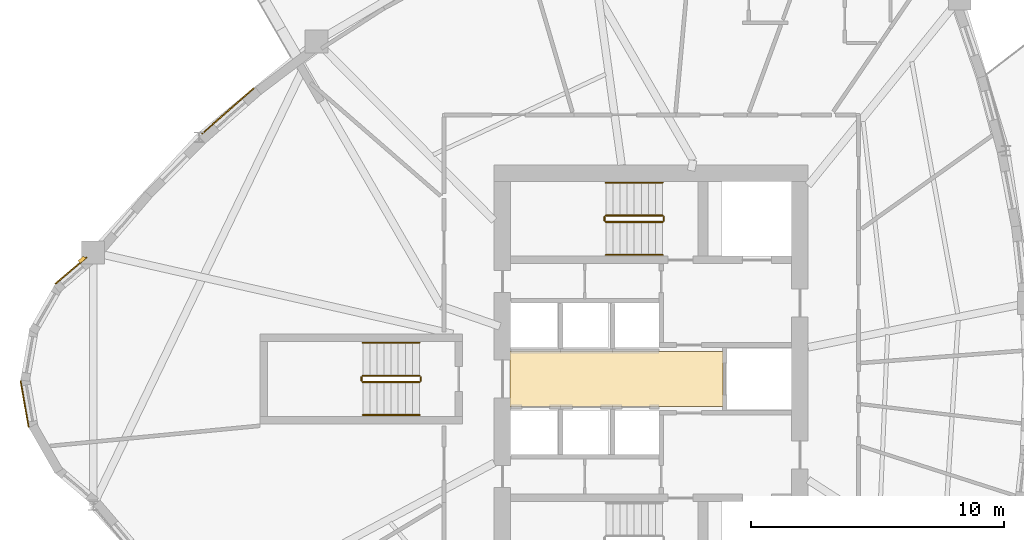
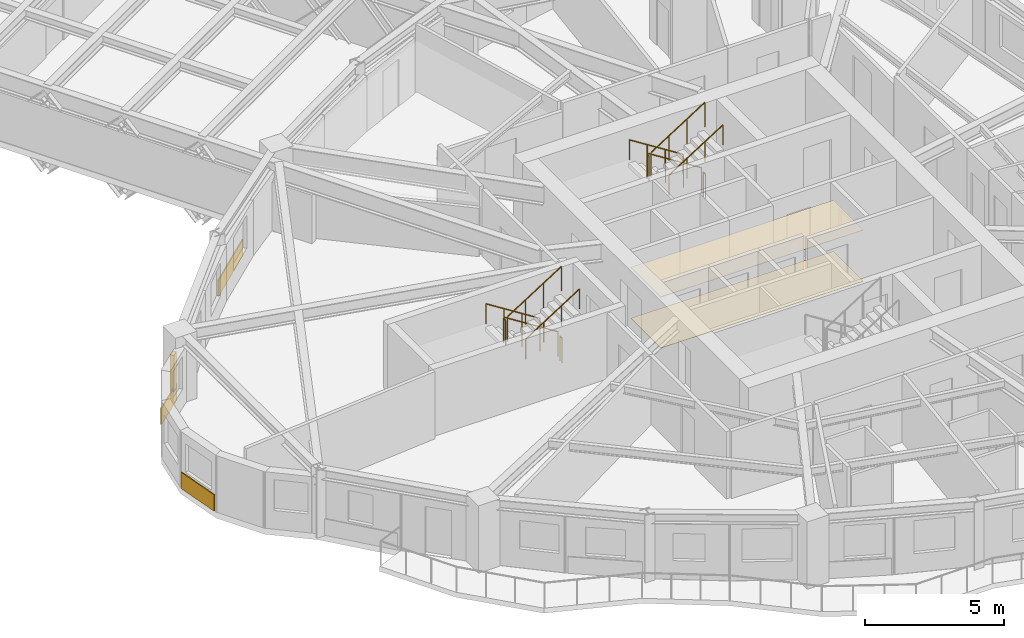
# One storey, part 12 of 14: 12 railings, 5 coverings, 1 shading device.
"""IFC4 building model written with IfcOpenShell, lengths in metres."""

from ifc_helpers import new_model, si_unit, direction, frame, origin, origin_2d, place, context, subcontext, project, spatial, polyline, rectangle, circle, outline, extrude, source, transform, mapped, material, layer, layer_set, type_object, element, save


model = new_model("IFC4")

# Units and contexts
model_context = context("Model", 3, precision=1e-05, world=origin(), true_north=direction((0.0, 1.0)))
body_context = subcontext(model_context, "Body", "Model", "MODEL_VIEW")
ifc_project = project(units=[si_unit("LENGTHUNIT", "METRE"), si_unit("AREAUNIT", "SQUARE_METRE"), si_unit("VOLUMEUNIT", "CUBIC_METRE"), si_unit("PLANEANGLEUNIT", "RADIAN"), si_unit("MASSUNIT", "GRAM", prefix="KILO")], contexts=[model_context])

# Site, building, storey
site_placement = place(None, origin())
site = spatial("IfcSite", under=ifc_project, at=site_placement, CompositionType="ELEMENT")
building_placement = place(site_placement, origin())
building = spatial("IfcBuilding", under=site, at=building_placement, Name="Qafzar Sky-Pleat Residences", CompositionType="ELEMENT")
storey_placement = place(building_placement, frame((0.0, 0.0, 86.39990234375)))
storey = spatial("IfcBuildingStorey", under=building, at=storey_placement, Name="L25", CompositionType="ELEMENT", Elevation=86.39990234375)

# Coverings
ifc_material_1 = material(Name="Perforated acoustic gypsum board ceiling")
ifc_layer_1 = layer(ifc_material_1, 0.02001953125)
ifc_layer_set_1 = layer_set([ifc_layer_1], Name="Perforated acoustic gypsum board ceiling")
covering_type_1 = type_object("IfcCoveringType", Name="COV-CEIL-ACOUSTIC", PredefinedType="CEILING", material=ifc_layer_set_1)
covering_1_placement = place(storey_placement, frame((0.0, 0.0, 2.239990234375)))
element("IfcCovering", 1, at=covering_1_placement, inside=storey, type_object=covering_type_1, Name="L25 Passenger Lift Lobby Acoustic Ceiling", PredefinedType="CEILING", context=body_context, shape_type="SweptSolid", body=[
    extrude(outline(polyline([(33.179931640625, 24.919921875), (24.77001953125, 24.919921875), (24.77001953125, 27.080078125), (33.179931640625, 27.080078125), (33.179931640625, 24.919921875)])), origin(), (0.0, 0.0, 1.0), 0.02001953125),
])
ifc_material_2 = material(Name="Honed porcelain and Riyadh stone tile flooring", Category="masonry")
ifc_layer_2 = layer(ifc_material_2, 0.02001953125)
ifc_layer_set_2 = layer_set([ifc_layer_2], Name="Honed porcelain and Riyadh stone tile flooring")
covering_type_2 = type_object("IfcCoveringType", Name="COV-FLR-PORCELAIN", PredefinedType="FLOORING", material=ifc_layer_set_2)
covering_2_placement = place(storey_placement, origin())
element("IfcCovering", 2, at=covering_2_placement, inside=storey, type_object=covering_type_2, Name="L25 Passenger Lift Lobby Honed Stone Flooring", PredefinedType="FLOORING", context=body_context, shape_type="SweptSolid", body=[
    extrude(outline(polyline([(33.179931640625, 24.919921875), (24.77001953125, 24.919921875), (24.77001953125, 27.080078125), (33.179931640625, 27.080078125), (33.179931640625, 24.919921875)])), origin(), (0.0, 0.0, 1.0), 0.02001953125),
])

# Shading device
ifc_material_3 = material(Name="Honed Riyadh limestone solar fin", Category="masonry")
ifc_layer_3 = layer(ifc_material_3, 0.139892578125)
ifc_layer_set_3 = layer_set([ifc_layer_3], Name="Honed Riyadh limestone solar fin")
shading_device_type = type_object("IfcShadingDeviceType", Name="SHD-FIN-STONE", PredefinedType="SHUTTER", material=ifc_layer_set_3)
shared_shape_1 = source(origin(), body_context, "Body", "SweptSolid", [
    extrude(rectangle(XDim=0.139892578125, YDim=0.280029296875, at=origin_2d()), origin(), (0.0, 0.0, 1.0), 1.60009765625),
])
shading_device_placement = place(storey_placement, frame((7.872314453125, 30.708740234375, 0.60009765625), z_axis=(0.0, 0.0, 1.0), x_axis=(-0.648553503037, 0.761169070377, 0.0)))
element("IfcShadingDevice", 3, at=shading_device_placement, inside=storey, type_object=shading_device_type, Name="L25 Limestone Solar Fin 1", PredefinedType="SHUTTER", context=body_context, shape_type="MappedRepresentation", body=[
    mapped(shared_shape_1, transform((0.0, 0.0, 0.0), x_axis=(1.0, 0.0, 0.0), y_axis=(0.0, 1.0, 0.0), z_axis=(0.0, 0.0, 1.0), scale=1.0)),
])

# Coverings
ifc_material_4 = material(Name="Honed Riyadh Tuwaiq limestone cladding", Category="masonry")
ifc_layer_4 = layer(ifc_material_4, 0.044921875)
ifc_layer_set_4 = layer_set([ifc_layer_4], Name="Honed Riyadh Tuwaiq limestone cladding")
covering_type_3 = type_object("IfcCoveringType", Name="COV-CLAD-STONE", PredefinedType="CLADDING", material=ifc_layer_set_4)
shared_shape_2 = source(origin(), body_context, "Body", "SweptSolid", [
    extrude(rectangle(XDim=1.629150390625, YDim=0.044921875, at=origin_2d()), origin(), (0.0, 0.0, 1.0), 0.719970703125),
])
covering_3_placement = place(storey_placement, frame((7.43603515625, 30.2802734375, 0.02001953125), z_axis=(0.0, 0.0, 1.0), x_axis=(-0.761160395249, -0.648563684386, 0.0)))
element("IfcCovering", 4, at=covering_3_placement, inside=storey, type_object=covering_type_3, Name="L25 Riyadh Limestone Spandrel Cladding 1", PredefinedType="CLADDING", context=body_context, shape_type="MappedRepresentation", body=[
    mapped(shared_shape_2, transform((0.0, 0.0, 0.0), x_axis=(1.0, 0.0, 0.0), y_axis=(0.0, 1.0, 0.0), z_axis=(0.0, 0.0, 1.0), scale=1.0)),
])
shared_shape_3 = source(origin(), body_context, "Body", "SweptSolid", [
    extrude(rectangle(XDim=1.86572265625, YDim=0.044921875, at=origin_2d()), origin(), (0.0, 0.0, 1.0), 0.719970703125),
])
covering_4_placement = place(storey_placement, frame((5.606201171875, 25.0126953125, 0.02001953125), z_axis=(0.0, 0.0, 1.0), x_axis=(0.172161515838, -0.985068734893, 0.0)))
element("IfcCovering", 5, at=covering_4_placement, inside=storey, type_object=covering_type_3, Name="L25 Riyadh Limestone Spandrel Cladding 4", PredefinedType="CLADDING", context=body_context, shape_type="MappedRepresentation", body=[
    mapped(shared_shape_3, transform((0.0, 0.0, 0.0), x_axis=(1.0, 0.0, 0.0), y_axis=(0.0, 1.0, 0.0), z_axis=(0.0, 0.0, 1.0), scale=1.0)),
])
shared_shape_4 = source(origin(), body_context, "Body", "SweptSolid", [
    extrude(rectangle(XDim=2.7255859375, YDim=0.044921875, at=origin_2d()), origin(), (0.0, 0.0, 1.0), 0.719970703125),
])
covering_5_placement = place(storey_placement, frame((13.631103515625, 36.577880859375, 0.02001953125), z_axis=(0.0, 0.0, 1.0), x_axis=(-0.751516092069, -0.65971475909, 0.0)))
element("IfcCovering", 6, at=covering_5_placement, inside=storey, type_object=covering_type_3, Name="L25 Riyadh Limestone Spandrel Cladding 46", PredefinedType="CLADDING", context=body_context, shape_type="MappedRepresentation", body=[
    mapped(shared_shape_4, transform((0.0, 0.0, 0.0), x_axis=(1.0, 0.0, 0.0), y_axis=(0.0, 1.0, 0.0), z_axis=(0.0, 0.0, 1.0), scale=1.0)),
])

# Railings
ifc_material_5 = material(Name="Painted Steel S355 stair guardrail", Category="steel")
railing_type_1 = type_object("IfcRailingType", Name="RAIL-STAIR-GUARD", PredefinedType="GUARDRAIL", material=ifc_material_5)
shared_shape_5 = source(origin(), body_context, "Body", "SweptSolid", [
    extrude(circle(Radius=0.02392578125, at=origin_2d()), frame((0.0, 0.0, 1.076171875), z_axis=(0.0, -1.0, 0.0), x_axis=(1.0, 0.0, 0.0)), (0.0, 0.0, 1.0), 0.14990234375),
    extrude(circle(Radius=0.02099609375, at=origin_2d()), origin(), (0.0, 0.0, 1.0), 1.052001953125),
    extrude(circle(Radius=0.02099609375, at=origin_2d()), frame((0.0, -0.14990234375, 0.0)), (0.0, 0.0, 1.0), 1.052001953125),
])
for number, where, name in (
    (7, (28.510009765625, 32.39990234375, 1.60009765625), "L25 ST2 stair guard 2"),
    (8, (30.85009765625, 32.39990234375, 0.0), "L25 ST2 stair guard 4"),
    (9, (18.909912109375, 26.074951171875, 1.60009765625), "L25 ST3 stair guard 2"),
    (10, (21.25, 26.074951171875, 0.0), "L25 ST3 stair guard 4"),
):
    element("IfcRailing", number, at=place(storey_placement, frame(where)), inside=storey, type_object=railing_type_1, Name=name, PredefinedType="GUARDRAIL", context=body_context, shape_type="MappedRepresentation", body=[
        mapped(shared_shape_5, transform((0.0, 0.0, 0.0), x_axis=(1.0, 0.0, 0.0), y_axis=(0.0, 1.0, 0.0), z_axis=(0.0, 0.0, 1.0), scale=1.0)),
    ])
shared_shape_6 = source(origin(), body_context, "Body", "SweptSolid", [
    extrude(circle(Radius=0.02392578125, at=origin_2d()), frame((0.0, 0.0, 1.076171875), z_axis=(-0.8442293374, 0.0, 0.53598211339), x_axis=(0.0, -1.0, 0.0)), (0.0, 0.0, 1.0), 2.6533203125),
    extrude(circle(Radius=0.02099609375, at=origin_2d()), origin(), (0.0, 0.0, 1.0), 1.052001953125),
    extrude(circle(Radius=0.02099609375, at=origin_2d()), frame((-0.74658203125, 0.0, 0.47412109375)), (0.0, 0.0, 1.0), 1.052001953125),
    extrude(circle(Radius=0.02099609375, at=origin_2d()), frame((-1.493408203125, 0.0, 0.947998046875)), (0.0, 0.0, 1.0), 1.052001953125),
    extrude(circle(Radius=0.02099609375, at=origin_2d()), frame((-2.239990234375, 0.0, 1.422119140625)), (0.0, 0.0, 1.0), 1.052001953125),
])
for number, where, name in (
    (11, (30.800048828125, 32.449951171875, 0.177978515625), "L25 ST2 stair guard 1"),
    (12, (21.199951171875, 26.125, 0.177978515625), "L25 ST3 stair guard 1"),
):
    element("IfcRailing", number, at=place(storey_placement, frame(where)), inside=storey, type_object=railing_type_1, Name=name, PredefinedType="GUARDRAIL", context=body_context, shape_type="MappedRepresentation", body=[
        mapped(shared_shape_6, transform((0.0, 0.0, 0.0), x_axis=(1.0, 0.0, 0.0), y_axis=(0.0, 1.0, 0.0), z_axis=(0.0, 0.0, 1.0), scale=1.0)),
    ])
ifc_material_6 = material(Name="Brushed stainless steel handrail", Category="steel")
railing_type_2 = type_object("IfcRailingType", Name="RAIL-STAIR-HAND", PredefinedType="HANDRAIL", material=ifc_material_6)
shared_shape_7 = source(origin(), body_context, "Body", "SweptSolid", [
    extrude(circle(Radius=0.02392578125, at=origin_2d()), frame((0.0, 0.0, 0.8759765625), z_axis=(-0.8442293374, 0.0, 0.53598211339), x_axis=(0.0, -1.0, 0.0)), (0.0, 0.0, 1.0), 2.6533203125),
    extrude(circle(Radius=0.02099609375, at=origin_2d()), origin(), (0.0, 0.0, 1.0), 0.851806640625),
    extrude(circle(Radius=0.02099609375, at=origin_2d()), frame((-0.74658203125, 0.0, 0.47412109375)), (0.0, 0.0, 1.0), 0.851806640625),
    extrude(circle(Radius=0.02099609375, at=origin_2d()), frame((-1.493408203125, 0.0, 0.947998046875)), (0.0, 0.0, 1.0), 0.851806640625),
    extrude(circle(Radius=0.02099609375, at=origin_2d()), frame((-2.239990234375, 0.0, 1.422119140625)), (0.0, 0.0, 1.0), 0.851806640625),
])
for number, where, name in (
    (13, (30.800048828125, 33.75, 0.177978515625), "L25 ST2 stair handrail 1"),
    (14, (21.199951171875, 27.425048828125, 0.177978515625), "L25 ST3 stair handrail 1"),
):
    element("IfcRailing", number, at=place(storey_placement, frame(where)), inside=storey, type_object=railing_type_2, Name=name, PredefinedType="HANDRAIL", context=body_context, shape_type="MappedRepresentation", body=[
        mapped(shared_shape_7, transform((0.0, 0.0, 0.0), x_axis=(1.0, 0.0, 0.0), y_axis=(0.0, 1.0, 0.0), z_axis=(0.0, 0.0, 1.0), scale=1.0)),
    ])
shared_shape_8 = source(origin(), body_context, "Body", "SweptSolid", [
    extrude(circle(Radius=0.02392578125, at=origin_2d()), frame((0.0, 0.0, 1.076171875), z_axis=(0.84418770128, 0.0, 0.536047689118), x_axis=(0.0, 1.0, 0.0)), (0.0, 0.0, 1.0), 2.6533203125),
    extrude(circle(Radius=0.02099609375, at=origin_2d()), origin(), (0.0, 0.0, 1.0), 1.052001953125),
    extrude(circle(Radius=0.02099609375, at=origin_2d()), frame((0.74658203125, 0.0, 0.47412109375)), (0.0, 0.0, 1.0), 1.052001953125),
    extrude(circle(Radius=0.02099609375, at=origin_2d()), frame((1.493408203125, 0.0, 0.9482421875)), (0.0, 0.0, 1.0), 1.052001953125),
    extrude(circle(Radius=0.02099609375, at=origin_2d()), frame((2.239990234375, 0.0, 1.42236328125)), (0.0, 0.0, 1.0), 1.052001953125),
])
for number, where, name in (
    (15, (28.56005859375, 32.199951171875, 1.77783203125), "L25 ST2 stair guard 3"),
    (16, (18.9599609375, 25.875, 1.77783203125), "L25 ST3 stair guard 3"),
):
    element("IfcRailing", number, at=place(storey_placement, frame(where)), inside=storey, type_object=railing_type_1, Name=name, PredefinedType="GUARDRAIL", context=body_context, shape_type="MappedRepresentation", body=[
        mapped(shared_shape_8, transform((0.0, 0.0, 0.0), x_axis=(1.0, 0.0, 0.0), y_axis=(0.0, 1.0, 0.0), z_axis=(0.0, 0.0, 1.0), scale=1.0)),
    ])
shared_shape_9 = source(origin(), body_context, "Body", "SweptSolid", [
    extrude(circle(Radius=0.02392578125, at=origin_2d()), frame((0.0, 0.0, 0.8759765625), z_axis=(0.84418770128, 0.0, 0.536047689118), x_axis=(0.0, 1.0, 0.0)), (0.0, 0.0, 1.0), 2.6533203125),
    extrude(circle(Radius=0.02099609375, at=origin_2d()), origin(), (0.0, 0.0, 1.0), 0.851806640625),
    extrude(circle(Radius=0.02099609375, at=origin_2d()), frame((0.74658203125, 0.0, 0.47412109375)), (0.0, 0.0, 1.0), 0.851806640625),
    extrude(circle(Radius=0.02099609375, at=origin_2d()), frame((1.493408203125, 0.0, 0.9482421875)), (0.0, 0.0, 1.0), 0.851806640625),
    extrude(circle(Radius=0.02099609375, at=origin_2d()), frame((2.239990234375, 0.0, 1.42236328125)), (0.0, 0.0, 1.0), 0.851806640625),
])
for number, where, name in (
    (17, (28.56005859375, 30.89990234375, 1.77783203125), "L25 ST2 stair handrail 2"),
    (18, (18.9599609375, 24.574951171875, 1.77783203125), "L25 ST3 stair handrail 2"),
):
    element("IfcRailing", number, at=place(storey_placement, frame(where)), inside=storey, type_object=railing_type_2, Name=name, PredefinedType="HANDRAIL", context=body_context, shape_type="MappedRepresentation", body=[
        mapped(shared_shape_9, transform((0.0, 0.0, 0.0), x_axis=(1.0, 0.0, 0.0), y_axis=(0.0, 1.0, 0.0), z_axis=(0.0, 0.0, 1.0), scale=1.0)),
    ])

save(model, "model.ifc")
